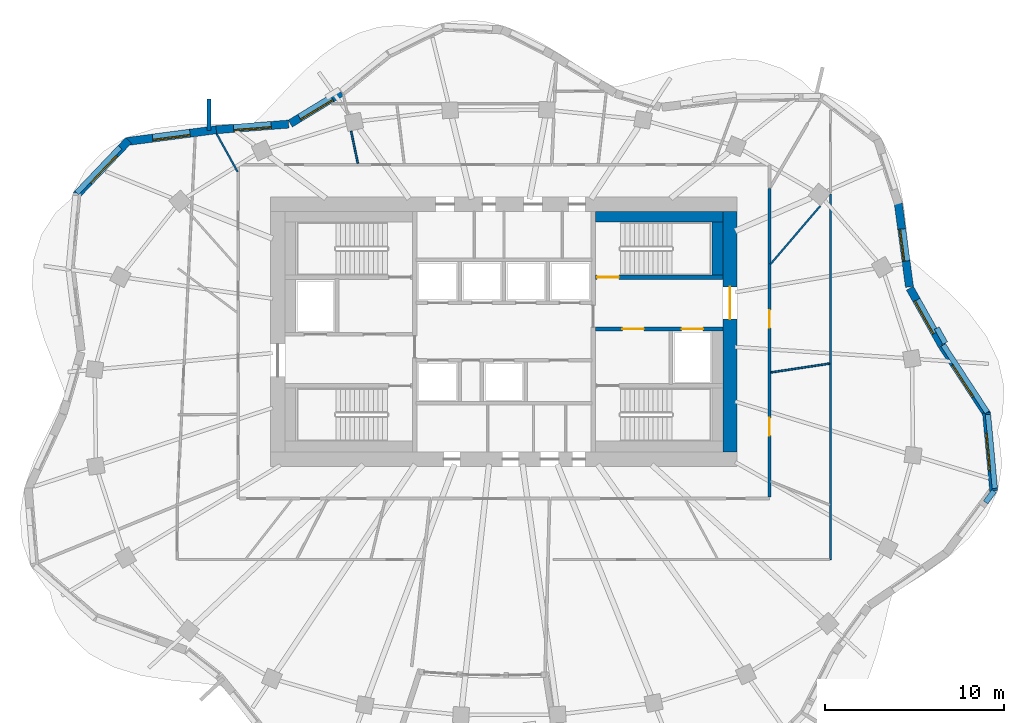
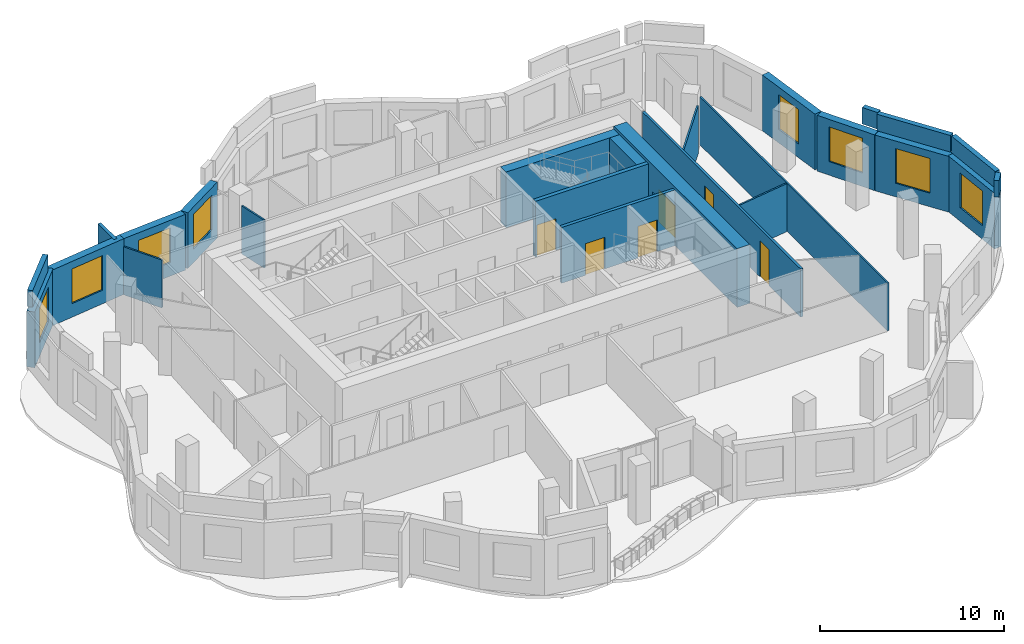
# One storey, part 8 of 12: 25 walls, 8 windows, 6 doors, 14 openings.
"""IFC4 building model written with IfcOpenShell, lengths in metres."""

from ifc_helpers import new_model, si_unit, direction, frame, frame_2d, origin, place, context, subcontext, project, spatial, rectangle, extrude, material, layer, layer_set, type_object, element, fill, save


model = new_model("IFC4")

# Units and contexts
model_context = context("Model", 3, precision=1e-05, world=origin(), true_north=direction((0.0, 1.0)))
body_context = subcontext(model_context, "Body", "Model", "MODEL_VIEW")
ifc_project = project(units=[si_unit("LENGTHUNIT", "METRE"), si_unit("AREAUNIT", "SQUARE_METRE"), si_unit("VOLUMEUNIT", "CUBIC_METRE"), si_unit("PLANEANGLEUNIT", "RADIAN"), si_unit("MASSUNIT", "GRAM", prefix="KILO")], contexts=[model_context])

# Site, building, storey
site_placement = place(None, origin())
site = spatial("IfcSite", under=ifc_project, at=site_placement, CompositionType="ELEMENT")
building_placement = place(site_placement, origin())
building = spatial("IfcBuilding", under=site, at=building_placement, Name="Rubra Terraces Tower", CompositionType="ELEMENT")
storey_placement = place(building_placement, frame((0.0, 0.0, 276.60009765625)))
storey = spatial("IfcBuildingStorey", under=building, at=storey_placement, Name="L68", CompositionType="ELEMENT", Elevation=276.60009765625)

# Wall, opening, window
ifc_material_1 = material(Name="Brick masonry red-brown", Category="masonry")
ifc_layer_1 = layer(ifc_material_1, 0.449951171875)
ifc_layer_set_1 = layer_set([ifc_layer_1], Name="Brick masonry red-brown")
wall_type_1 = type_object("IfcWallType", Name="Brick facade wall 450", PredefinedType="SOLIDWALL", material=ifc_layer_set_1)
wall_1_placement = place(storey_placement, frame((26.92626953125, -0.119140625, 0.0), z_axis=(0.0, 0.0, 1.0), x_axis=(-0.547072638725, 0.837085137819, 0.0)))
wall_1 = element("IfcWall", 1, at=wall_1_placement, inside=storey, type_object=wall_type_1, Name="Facade wall L68 bay 1", PredefinedType="SOLIDWALL", context=body_context, shape_type="SweptSolid", body=[
    extrude(rectangle(XDim=4.61572265625, YDim=0.449951171875, at=frame_2d((2.307861328125, 0.0))), origin(), (0.0, 0.0, 1.0), 3.699951171875),
])
opening_1_placement = place(wall_1_placement, frame((1.2578125, 0.0, 0.89990234375)))
opening_1 = element("IfcOpeningElement", 2, at=opening_1_placement, cuts=wall_1, Name="Opening W1B", PredefinedType="OPENING", context=body_context, shape_type="SweptSolid", body=[
    extrude(rectangle(XDim=2.10009765625, YDim=2.300048828125, at=frame_2d((1.050048828125, 1.14990234375))), frame((0.0, 0.23486328125, 0.0), z_axis=(0.0, -1.0, 0.0), x_axis=(1.0, 0.0, 0.0)), (0.0, 0.0, 1.0), 0.469970703125),
])
ifc_material_2 = material(Name="Clear glass in aluminium frame", Category="aluminium")
window_type_1 = type_object("IfcWindowType", Name="Fixed deep-set window tall storey 2100 x 2300", PartitioningType="SINGLE_PANEL", PredefinedType="WINDOW", material=ifc_material_2)
window_1_placement = place(opening_1_placement, origin())
window_1 = element("IfcWindow", 3, at=window_1_placement, inside=storey, type_object=window_type_1, Name="Window L68 bay 1", OverallHeight=2.300048828125, OverallWidth=2.10009765625, PartitioningType="SINGLE_PANEL", PredefinedType="WINDOW", context=body_context, shape_type="SweptSolid", body=[
    extrude(rectangle(XDim=2.10009765625, YDim=2.300048828125, at=frame_2d((1.050048828125, 1.14990234375))), frame((0.0, 0.135009765625, 0.0), z_axis=(0.0, -1.0, 0.0), x_axis=(1.0, 0.0, 0.0)), (0.0, 0.0, 1.0), 0.06005859375),
])
fill(opening_1, window_1)

wall_2_placement = place(storey_placement, frame((24.392822265625, 3.759033203125, 0.0), z_axis=(0.0, 0.0, 1.0), x_axis=(-0.488324253004, 0.872662262234, 0.0)))
wall_2 = element("IfcWall", 4, at=wall_2_placement, inside=storey, type_object=wall_type_1, Name="Facade wall L68 bay 2", PredefinedType="SOLIDWALL", context=body_context, shape_type="SweptSolid", body=[
    extrude(rectangle(XDim=3.622802734375, YDim=0.449951171875, at=frame_2d((1.8115234375, 0.0))), origin(), (0.0, 0.0, 1.0), 3.699951171875),
])
opening_2_placement = place(wall_2_placement, frame((0.76123046875, 0.0, 0.89990234375)))
opening_2 = element("IfcOpeningElement", 5, at=opening_2_placement, cuts=wall_2, Name="Opening W1B", PredefinedType="OPENING", context=body_context, shape_type="SweptSolid", body=[
    extrude(rectangle(XDim=2.10009765625, YDim=2.300048828125, at=frame_2d((1.050048828125, 1.14990234375))), frame((0.0, 0.23486328125, 0.0), z_axis=(0.0, -1.0, 0.0), x_axis=(1.0, 0.0, 0.0)), (0.0, 0.0, 1.0), 0.469970703125),
])
window_2_placement = place(opening_2_placement, origin())
window_2 = element("IfcWindow", 6, at=window_2_placement, inside=storey, type_object=window_type_1, Name="Window L68 bay 2", OverallHeight=2.300048828125, OverallWidth=2.10009765625, PartitioningType="SINGLE_PANEL", PredefinedType="WINDOW", context=body_context, shape_type="SweptSolid", body=[
    extrude(rectangle(XDim=2.10009765625, YDim=2.300048828125, at=frame_2d((1.050048828125, 1.14990234375))), frame((0.0, 0.135009765625, 0.0), z_axis=(0.0, -1.0, 0.0), x_axis=(1.0, 0.0, 0.0)), (0.0, 0.0, 1.0), 0.06005859375),
])
fill(opening_2, window_2)

wall_3_placement = place(storey_placement, frame((22.599853515625, 6.995361328125, 0.0), z_axis=(0.0, 0.0, 1.0), x_axis=(-0.132599346032, 0.991169719792, 0.0)))
wall_3 = element("IfcWall", 7, at=wall_3_placement, inside=storey, type_object=wall_type_1, Name="Facade wall L68 bay 3", PredefinedType="SOLIDWALL", context=body_context, shape_type="SweptSolid", body=[
    extrude(rectangle(XDim=4.69873046875, YDim=0.449951171875, at=frame_2d((2.349365234375, 0.0))), origin(), (0.0, 0.0, 1.0), 3.699951171875),
])
opening_3_placement = place(wall_3_placement, frame((1.449462890625, 0.0, 0.89990234375)))
opening_3 = element("IfcOpeningElement", 8, at=opening_3_placement, cuts=wall_3, Name="Opening W6B", PredefinedType="OPENING", context=body_context, shape_type="SweptSolid", body=[
    extrude(rectangle(XDim=1.800048828125, YDim=2.300048828125, at=frame_2d((0.89990234375, 1.14990234375))), frame((0.0, 0.23486328125, 0.0), z_axis=(0.0, -1.0, 0.0), x_axis=(1.0, 0.0, 0.0)), (0.0, 0.0, 1.0), 0.469970703125),
])
window_type_2 = type_object("IfcWindowType", Name="Fixed deep-set window at wind fin tall storey 1800 x 2300", PartitioningType="SINGLE_PANEL", PredefinedType="WINDOW", material=ifc_material_2)
window_3_placement = place(opening_3_placement, origin())
window_3 = element("IfcWindow", 9, at=window_3_placement, inside=storey, type_object=window_type_2, Name="Window L68 bay 3", OverallHeight=2.300048828125, OverallWidth=1.800048828125, PartitioningType="SINGLE_PANEL", PredefinedType="WINDOW", context=body_context, shape_type="SweptSolid", body=[
    extrude(rectangle(XDim=1.800048828125, YDim=2.300048828125, at=frame_2d((0.89990234375, 1.14990234375))), frame((0.0, 0.135009765625, 0.0), z_axis=(0.0, -1.0, 0.0), x_axis=(1.0, 0.0, 0.0)), (0.0, 0.0, 1.0), 0.06005859375),
])
fill(opening_3, window_3)

wall_4_placement = place(storey_placement, frame((-9.06298828125, 17.82275390625, 0.0), z_axis=(0.0, 0.0, 1.0), x_axis=(-0.854622263029, -0.519250216693, 0.0)))
wall_4 = element("IfcWall", 10, at=wall_4_placement, inside=storey, type_object=wall_type_1, Name="Facade wall L68 bay 14", PredefinedType="SOLIDWALL", context=body_context, shape_type="SweptSolid", body=[
    extrude(rectangle(XDim=3.32470703125, YDim=0.449951171875, at=frame_2d((1.662353515625, 0.0))), origin(), (0.0, 0.0, 1.0), 3.699951171875),
])
opening_4_placement = place(wall_4_placement, frame((0.6123046875, 0.0, 0.89990234375)))
opening_4 = element("IfcOpeningElement", 11, at=opening_4_placement, cuts=wall_4, Name="Opening W1B", PredefinedType="OPENING", context=body_context, shape_type="SweptSolid", body=[
    extrude(rectangle(XDim=2.10009765625, YDim=2.300048828125, at=frame_2d((1.050048828125, 1.14990234375))), frame((0.0, 0.23486328125, 0.0), z_axis=(0.0, -1.0, 0.0), x_axis=(1.0, 0.0, 0.0)), (0.0, 0.0, 1.0), 0.469970703125),
])
window_4_placement = place(opening_4_placement, origin())
window_4 = element("IfcWindow", 12, at=window_4_placement, inside=storey, type_object=window_type_1, Name="Window L68 bay 14", OverallHeight=2.300048828125, OverallWidth=2.10009765625, PartitioningType="SINGLE_PANEL", PredefinedType="WINDOW", context=body_context, shape_type="SweptSolid", body=[
    extrude(rectangle(XDim=2.10009765625, YDim=2.300048828125, at=frame_2d((1.050048828125, 1.14990234375))), frame((0.0, 0.135009765625, 0.0), z_axis=(0.0, -1.0, 0.0), x_axis=(1.0, 0.0, 0.0)), (0.0, 0.0, 1.0), 0.06005859375),
])
fill(opening_4, window_4)

wall_5_placement = place(storey_placement, frame((-11.9951171875, 16.06689453125, 0.0), z_axis=(0.0, 0.0, 1.0), x_axis=(-0.996967993416, -0.077812724559, 0.0)))
wall_5 = element("IfcWall", 13, at=wall_5_placement, inside=storey, type_object=wall_type_1, Name="Facade wall L68 bay 15", PredefinedType="SOLIDWALL", context=body_context, shape_type="SweptSolid", body=[
    extrude(rectangle(XDim=4.04736328125, YDim=0.449951171875, at=frame_2d((2.023681640625, 0.0))), origin(), (0.0, 0.0, 1.0), 3.699951171875),
])
opening_5_placement = place(wall_5_placement, frame((0.9736328125, 0.0, 0.89990234375)))
opening_5 = element("IfcOpeningElement", 14, at=opening_5_placement, cuts=wall_5, Name="Opening W1B", PredefinedType="OPENING", context=body_context, shape_type="SweptSolid", body=[
    extrude(rectangle(XDim=2.10009765625, YDim=2.300048828125, at=frame_2d((1.050048828125, 1.14990234375))), frame((0.0, 0.23486328125, 0.0), z_axis=(0.0, -1.0, 0.0), x_axis=(1.0, 0.0, 0.0)), (0.0, 0.0, 1.0), 0.469970703125),
])
window_5_placement = place(opening_5_placement, origin())
window_5 = element("IfcWindow", 15, at=window_5_placement, inside=storey, type_object=window_type_1, Name="Window L68 bay 15", OverallHeight=2.300048828125, OverallWidth=2.10009765625, PartitioningType="SINGLE_PANEL", PredefinedType="WINDOW", context=body_context, shape_type="SweptSolid", body=[
    extrude(rectangle(XDim=2.10009765625, YDim=2.300048828125, at=frame_2d((1.050048828125, 1.14990234375))), frame((0.0, 0.135009765625, 0.0), z_axis=(0.0, -1.0, 0.0), x_axis=(1.0, 0.0, 0.0)), (0.0, 0.0, 1.0), 0.06005859375),
])
fill(opening_5, window_5)

wall_6_placement = place(storey_placement, frame((-16.019287109375, 15.75341796875, 0.0), z_axis=(0.0, 0.0, 1.0), x_axis=(-0.991409967396, -0.130790965086, 0.0)))
wall_6 = element("IfcWall", 16, at=wall_6_placement, inside=storey, type_object=wall_type_1, Name="Facade wall L68 bay 16", PredefinedType="SOLIDWALL", context=body_context, shape_type="SweptSolid", body=[
    extrude(rectangle(XDim=5.06787109375, YDim=0.449951171875, at=frame_2d((2.533935546875, 0.0))), origin(), (0.0, 0.0, 1.0), 3.699951171875),
])
opening_6_placement = place(wall_6_placement, frame((1.48388671875, 0.0, 0.89990234375)))
opening_6 = element("IfcOpeningElement", 17, at=opening_6_placement, cuts=wall_6, Name="Opening W1B", PredefinedType="OPENING", context=body_context, shape_type="SweptSolid", body=[
    extrude(rectangle(XDim=2.10009765625, YDim=2.300048828125, at=frame_2d((1.050048828125, 1.14990234375))), frame((0.0, 0.23486328125, 0.0), z_axis=(0.0, -1.0, 0.0), x_axis=(1.0, 0.0, 0.0)), (0.0, 0.0, 1.0), 0.469970703125),
])
window_6_placement = place(opening_6_placement, origin())
window_6 = element("IfcWindow", 18, at=window_6_placement, inside=storey, type_object=window_type_1, Name="Window L68 bay 16", OverallHeight=2.300048828125, OverallWidth=2.10009765625, PartitioningType="SINGLE_PANEL", PredefinedType="WINDOW", context=body_context, shape_type="SweptSolid", body=[
    extrude(rectangle(XDim=2.10009765625, YDim=2.300048828125, at=frame_2d((1.050048828125, 1.14990234375))), frame((0.0, 0.135009765625, 0.0), z_axis=(0.0, -1.0, 0.0), x_axis=(1.0, 0.0, 0.0)), (0.0, 0.0, 1.0), 0.06005859375),
])
fill(opening_6, window_6)

wall_7_placement = place(storey_placement, frame((-20.914306640625, 15.15771484375, 0.0), z_axis=(0.0, 0.0, 1.0), x_axis=(-0.690057851873, -0.723754213161, 0.0)))
wall_7 = element("IfcWall", 19, at=wall_7_placement, inside=storey, type_object=wall_type_1, Name="Facade wall L68 bay 17", PredefinedType="SOLIDWALL", context=body_context, shape_type="SweptSolid", body=[
    extrude(rectangle(XDim=4.2529296875, YDim=0.449951171875, at=frame_2d((2.12646484375, 0.0))), origin(), (0.0, 0.0, 1.0), 3.699951171875),
])
opening_7_placement = place(wall_7_placement, frame((1.076416015625, 0.0, 0.89990234375)))
opening_7 = element("IfcOpeningElement", 20, at=opening_7_placement, cuts=wall_7, Name="Opening W1B", PredefinedType="OPENING", context=body_context, shape_type="SweptSolid", body=[
    extrude(rectangle(XDim=2.10009765625, YDim=2.300048828125, at=frame_2d((1.050048828125, 1.14990234375))), frame((0.0, 0.23486328125, 0.0), z_axis=(0.0, -1.0, 0.0), x_axis=(1.0, 0.0, 0.0)), (0.0, 0.0, 1.0), 0.469970703125),
])
window_7_placement = place(opening_7_placement, origin())
window_7 = element("IfcWindow", 21, at=window_7_placement, inside=storey, type_object=window_type_1, Name="Window L68 bay 17", OverallHeight=2.300048828125, OverallWidth=2.10009765625, PartitioningType="SINGLE_PANEL", PredefinedType="WINDOW", context=body_context, shape_type="SweptSolid", body=[
    extrude(rectangle(XDim=2.10009765625, YDim=2.300048828125, at=frame_2d((1.050048828125, 1.14990234375))), frame((0.0, 0.135009765625, 0.0), z_axis=(0.0, -1.0, 0.0), x_axis=(1.0, 0.0, 0.0)), (0.0, 0.0, 1.0), 0.06005859375),
])
fill(opening_7, window_7)

wall_8_placement = place(storey_placement, frame((27.2958984375, -4.379638671875, 0.0), z_axis=(0.0, 0.0, 1.0), x_axis=(-0.092079421996, 0.995751665851, 0.0)))
wall_8 = element("IfcWall", 22, at=wall_8_placement, inside=storey, type_object=wall_type_1, Name="Facade wall L68 bay 40", PredefinedType="SOLIDWALL", context=body_context, shape_type="SweptSolid", body=[
    extrude(rectangle(XDim=4.37744140625, YDim=0.449951171875, at=frame_2d((2.188720703125, 0.0))), origin(), (0.0, 0.0, 1.0), 3.699951171875),
])
opening_8_placement = place(wall_8_placement, frame((1.138916015625, 0.0, 0.89990234375)))
opening_8 = element("IfcOpeningElement", 23, at=opening_8_placement, cuts=wall_8, Name="Opening W1B", PredefinedType="OPENING", context=body_context, shape_type="SweptSolid", body=[
    extrude(rectangle(XDim=2.10009765625, YDim=2.300048828125, at=frame_2d((1.050048828125, 1.14990234375))), frame((0.0, 0.23486328125, 0.0), z_axis=(0.0, -1.0, 0.0), x_axis=(1.0, 0.0, 0.0)), (0.0, 0.0, 1.0), 0.469970703125),
])
window_8_placement = place(opening_8_placement, origin())
window_8 = element("IfcWindow", 24, at=window_8_placement, inside=storey, type_object=window_type_1, Name="Window L68 bay 40", OverallHeight=2.300048828125, OverallWidth=2.10009765625, PartitioningType="SINGLE_PANEL", PredefinedType="WINDOW", context=body_context, shape_type="SweptSolid", body=[
    extrude(rectangle(XDim=2.10009765625, YDim=2.300048828125, at=frame_2d((1.050048828125, 1.14990234375))), frame((0.0, 0.135009765625, 0.0), z_axis=(0.0, -1.0, 0.0), x_axis=(1.0, 0.0, 0.0)), (0.0, 0.0, 1.0), 0.06005859375),
])
fill(opening_8, window_8)

# Walls
ifc_layer_2 = layer(ifc_material_1, 0.300048828125)
ifc_layer_set_2 = layer_set([ifc_layer_2], Name="Brick masonry red-brown")
wall_type_2 = type_object("IfcWallType", Name="Brick parapet 300", PredefinedType="PARAPET", material=ifc_layer_set_2)
wall_9_placement = place(storey_placement, frame((26.934326171875, 0.005615234375, 3.89990234375), z_axis=(0.0, 0.0, 1.0), x_axis=(-0.547070260179, 0.837086692301, 0.0)))
element("IfcWall", 25, at=wall_9_placement, inside=storey, type_object=wall_type_2, Name="Parapet L68 bay 1", PredefinedType="PARAPET", context=body_context, shape_type="SweptSolid", body=[
    extrude(rectangle(XDim=4.48095703125, YDim=0.300048828125, at=frame_2d((2.240478515625, 0.0))), origin(), (0.0, 0.0, 1.0), 1.10009765625),
])
wall_10_placement = place(storey_placement, frame((24.592041015625, 3.86376953125, 3.89990234375), z_axis=(0.0, 0.0, 1.0), x_axis=(-0.488379082049, 0.872631578742, 0.0)))
element("IfcWall", 26, at=wall_10_placement, inside=storey, type_object=wall_type_2, Name="Parapet L68 bay 2", PredefinedType="PARAPET", context=body_context, shape_type="SweptSolid", body=[
    extrude(rectangle(XDim=0.96142578125, YDim=0.300048828125, at=frame_2d((0.480712890625, 0.0))), origin(), (0.0, 0.0, 1.0), 1.10009765625),
])
wall_11_placement = place(storey_placement, frame((-21.388427734375, 14.768798828125, 3.89990234375), z_axis=(0.0, 0.0, 1.0), x_axis=(-0.690144808601, -0.723671294969, 0.0)))
element("IfcWall", 27, at=wall_11_placement, inside=storey, type_object=wall_type_2, Name="Parapet L68 bay 17", PredefinedType="PARAPET", context=body_context, shape_type="SweptSolid", body=[
    extrude(rectangle(XDim=3.510009765625, YDim=0.300048828125, at=frame_2d((1.7548828125, 0.0))), origin(), (0.0, 0.0, 1.0), 1.10009765625),
])
wall_12_placement = place(storey_placement, frame((26.845458984375, -5.01318359375, 3.89990234375), z_axis=(0.0, 0.0, 1.0), x_axis=(0.597500991774, 0.801868171727, 0.0)))
element("IfcWall", 28, at=wall_12_placement, inside=storey, type_object=wall_type_2, Name="Parapet L68 bay 39", PredefinedType="PARAPET", context=body_context, shape_type="SweptSolid", body=[
    extrude(rectangle(XDim=0.782470703125, YDim=0.300048828125, at=frame_2d((0.39111328125, 0.0))), origin(), (0.0, 0.0, 1.0), 1.10009765625),
])
wall_13_placement = place(storey_placement, frame((27.357421875, -4.228515625, 3.89990234375), z_axis=(0.0, 0.0, 1.0), x_axis=(-0.092082019937, 0.99575142561, 0.0)))
element("IfcWall", 29, at=wall_13_placement, inside=storey, type_object=wall_type_2, Name="Parapet L68 bay 40", PredefinedType="PARAPET", context=body_context, shape_type="SweptSolid", body=[
    extrude(rectangle(XDim=4.128173828125, YDim=0.300048828125, at=frame_2d((2.06396484375, 0.0))), origin(), (0.0, 0.0, 1.0), 1.10009765625),
])
ifc_layer_3 = layer(ifc_material_1, 0.199951171875)
ifc_layer_set_3 = layer_set([ifc_layer_3], Name="Brick masonry red-brown")
wall_type_3 = type_object("IfcWallType", Name="Brick wind fin 200", PredefinedType="SOLIDWALL", material=ifc_layer_set_3)
wall_14_placement = place(storey_placement, frame((-16.43505859375, 15.7119140625, 0.0), z_axis=(0.0, 0.0, 1.0), x_axis=(0.000279017846, 0.999999961075, 0.0)))
element("IfcWall", 30, at=wall_14_placement, inside=storey, type_object=wall_type_3, Name="Wind fin L68 8", PredefinedType="SOLIDWALL", context=body_context, shape_type="SweptSolid", body=[
    extrude(rectangle(XDim=1.75, YDim=0.199951171875, at=frame_2d((0.875, 0.0))), origin(), (0.0, 0.0, 1.0), 3.699951171875),
])

# Wall, opening, door
ifc_material_3 = material(Name="Concrete C50", Category="concrete")
ifc_layer_4 = layer(ifc_material_3, 0.800048828125)
ifc_layer_set_4 = layer_set([ifc_layer_4], Name="Concrete C50")
wall_type_4 = type_object("IfcWallType", Name="CORE WALL 800 C50", PredefinedType="SHEAR", material=ifc_layer_set_4)
wall_15_placement = place(storey_placement, frame((12.60009765625, -2.199951171875, 0.0), z_axis=(0.0, 0.0, 1.0), x_axis=(0.0, 1.0, 0.0)))
wall_15 = element("IfcWall", 31, at=wall_15_placement, inside=storey, type_object=wall_type_4, Name="CORE WALL E L68", PredefinedType="SHEAR", context=body_context, shape_type="SweptSolid", body=[
    extrude(rectangle(XDim=13.39990234375, YDim=0.800048828125, at=frame_2d((6.699951171875, 0.0))), origin(), (0.0, 0.0, 1.0), 3.89990234375),
])
opening_9_placement = place(wall_15_placement, frame((7.39990234375, 0.0, 0.0)))
opening_9 = element("IfcOpeningElement", 32, at=opening_9_placement, cuts=wall_15, Name="Opening L68.C02", PredefinedType="OPENING", context=body_context, shape_type="SweptSolid", body=[
    extrude(rectangle(XDim=1.800048828125, YDim=2.10009765625, at=frame_2d((0.89990234375, 1.050048828125))), frame((0.0, 0.409912109375, 0.0), z_axis=(0.0, -1.0, 0.0), x_axis=(1.0, 0.0, 0.0)), (0.0, 0.0, 1.0), 0.820068359375),
])
ifc_material_4 = material(Name="Painted steel", Category="steel")
door_type_1 = type_object("IfcDoorType", Name="Fire door 1800x2100 double", OperationType="NOTDEFINED", PredefinedType="DOOR", material=ifc_material_4)
door_1_placement = place(opening_9_placement, origin())
door_1 = element("IfcDoor", 33, at=door_1_placement, inside=storey, type_object=door_type_1, Name="Core entrance door FF2", OperationType="DOUBLE_DOOR_SINGLE_SWING", OverallHeight=2.10009765625, OverallWidth=1.800048828125, PredefinedType="DOOR", context=body_context, shape_type="SweptSolid", body=[
    extrude(rectangle(XDim=1.800048828125, YDim=2.10009765625, at=frame_2d((0.89990234375, 1.050048828125))), frame((0.0, 0.02490234375, 0.0), z_axis=(0.0, -1.0, 0.0), x_axis=(1.0, 0.0, 0.0)), (0.0, 0.0, 1.0), 0.050048828125),
])
fill(opening_9, door_1)

# Wall, openings, doors
ifc_material_5 = material(Name="Plasterboard on steel stud, mineral wool infill", Category="steel")
ifc_layer_5 = layer(ifc_material_5, 0.14990234375)
ifc_layer_set_5 = layer_set([ifc_layer_5], Name="Plasterboard on steel stud, mineral wool infill")
wall_type_5 = type_object("IfcWallType", Name="CORRIDOR PARTITION 150", PredefinedType="PARTITIONING", material=ifc_layer_set_5)
wall_16_placement = place(storey_placement, frame((14.800048828125, -4.72509765625, 0.0), z_axis=(0.0, 0.0, 1.0), x_axis=(0.0, 1.0, 0.0)))
wall_16 = element("IfcWall", 34, at=wall_16_placement, inside=storey, type_object=wall_type_5, Name="PARTITION", PredefinedType="PARTITIONING", context=body_context, shape_type="SweptSolid", body=[
    extrude(rectangle(XDim=17.19677734375, YDim=0.14990234375, at=frame_2d((8.598388671875, 0.0))), origin(), (0.0, 0.0, 1.0), 3.197998046875),
])
opening_10_placement = place(wall_16_placement, frame((3.427001953125, 0.0, 0.0)))
opening_10 = element("IfcOpeningElement", 35, at=opening_10_placement, cuts=wall_16, Name="Opening 68-117", PredefinedType="OPENING", context=body_context, shape_type="SweptSolid", body=[
    extrude(rectangle(XDim=1.0, YDim=2.39990234375, at=frame_2d((0.5, 1.199951171875))), frame((0.0, 0.0849609375, 0.0), z_axis=(0.0, -1.0, 0.0), x_axis=(1.0, 0.0, 0.0)), (0.0, 0.0, 1.0), 0.169921875),
])
opening_11_placement = place(wall_16_placement, frame((9.430908203125, 0.0, 0.0)))
opening_11 = element("IfcOpeningElement", 36, at=opening_11_placement, cuts=wall_16, Name="Opening 68-118", PredefinedType="OPENING", context=body_context, shape_type="SweptSolid", body=[
    extrude(rectangle(XDim=1.0, YDim=2.39990234375, at=frame_2d((0.5, 1.199951171875))), frame((0.0, 0.0849609375, 0.0), z_axis=(0.0, -1.0, 0.0), x_axis=(1.0, 0.0, 0.0)), (0.0, 0.0, 1.0), 0.169921875),
])
ifc_material_6 = material(Name="Glazed aluminium meeting door leaf", Category="aluminium")
door_type_2 = type_object("IfcDoorType", Name="MEETING ROOM GLAZED DOOR 1000 X 2400", OperationType="SINGLE_SWING_LEFT", PredefinedType="DOOR", material=ifc_material_6)
door_2_placement = place(opening_10_placement, origin())
door_2 = element("IfcDoor", 37, at=door_2_placement, inside=storey, type_object=door_type_2, Name="DOOR 68-117", OperationType="SINGLE_SWING_RIGHT", OverallHeight=2.39990234375, OverallWidth=1.0, PredefinedType="DOOR", context=body_context, shape_type="SweptSolid", body=[
    extrude(rectangle(XDim=1.0, YDim=2.39990234375, at=frame_2d((0.5, 1.199951171875))), frame((0.0, 0.02490234375, 0.0), z_axis=(0.0, -1.0, 0.0), x_axis=(1.0, 0.0, 0.0)), (0.0, 0.0, 1.0), 0.050048828125),
])
fill(opening_10, door_2)
door_3_placement = place(opening_11_placement, origin())
door_3 = element("IfcDoor", 38, at=door_3_placement, inside=storey, type_object=door_type_2, Name="DOOR 68-118", OperationType="SINGLE_SWING_RIGHT", OverallHeight=2.39990234375, OverallWidth=1.0, PredefinedType="DOOR", context=body_context, shape_type="SweptSolid", body=[
    extrude(rectangle(XDim=1.0, YDim=2.39990234375, at=frame_2d((0.5, 1.199951171875))), frame((0.0, 0.02490234375, 0.0), z_axis=(0.0, -1.0, 0.0), x_axis=(1.0, 0.0, 0.0)), (0.0, 0.0, 1.0), 0.050048828125),
])
fill(opening_11, door_3)

# Walls
ifc_material_7 = material(Name="Concrete C40", Category="concrete")
ifc_layer_6 = layer(ifc_material_7, 0.60009765625)
ifc_layer_set_6 = layer_set([ifc_layer_6], Name="Concrete C40")
wall_type_6 = type_object("IfcWallType", Name="Core lining wall 600 concrete", PredefinedType="SOLIDWALL", material=ifc_layer_set_6)
wall_17_placement = place(storey_placement, frame((12.199951171875, 10.89990234375, 0.0), z_axis=(0.0, 0.0, 1.0), x_axis=(-1.0, 0.0, 0.0)))
element("IfcWall", 39, at=wall_17_placement, inside=storey, type_object=wall_type_6, Name="CORE LINING WALL L68", PredefinedType="SOLIDWALL", context=body_context, shape_type="SweptSolid", body=[
    extrude(rectangle(XDim=7.099853515625, YDim=0.60009765625, at=frame_2d((3.5498046875, 0.0))), origin(), (0.0, 0.0, 1.0), 3.699951171875),
])
wall_18_placement = place(storey_placement, frame((11.89990234375, 10.60009765625, 0.0), z_axis=(0.0, 0.0, 1.0), x_axis=(0.0, -1.0, 0.0)))
element("IfcWall", 40, at=wall_18_placement, inside=storey, type_object=wall_type_6, Name="CORE LINING WALL L68", PredefinedType="SOLIDWALL", context=body_context, shape_type="SweptSolid", body=[
    extrude(rectangle(XDim=2.9501953125, YDim=0.60009765625, at=frame_2d((1.47509765625, 0.0))), origin(), (0.0, 0.0, 1.0), 3.699951171875),
])

# Wall, openings, doors
ifc_material_8 = material(Name="Concrete C30", Category="concrete")
ifc_layer_7 = layer(ifc_material_8, 0.199951171875)
ifc_layer_set_7 = layer_set([ifc_layer_7], Name="Concrete C30")
wall_type_7 = type_object("IfcWallType", Name="Core wall 200 concrete", PredefinedType="SOLIDWALL", material=ifc_layer_set_7)
wall_19_placement = place(storey_placement, frame((12.199951171875, 4.64990234375, 0.0), z_axis=(0.0, 0.0, 1.0), x_axis=(-1.0, 0.0, 0.0)))
wall_19 = element("IfcWall", 41, at=wall_19_placement, inside=storey, type_object=wall_type_7, Name="STAIR WALL L68", PredefinedType="SOLIDWALL", context=body_context, shape_type="SweptSolid", body=[
    extrude(rectangle(XDim=7.099853515625, YDim=0.199951171875, at=frame_2d((3.5498046875, 0.0))), origin(), (0.0, 0.0, 1.0), 3.699951171875),
])
opening_12_placement = place(wall_19_placement, frame((4.39990234375, 0.0, 0.0)))
opening_12 = element("IfcOpeningElement", 42, at=opening_12_placement, cuts=wall_19, Name="Opening L68.C06", PredefinedType="OPENING", context=body_context, shape_type="SweptSolid", body=[
    extrude(rectangle(XDim=1.199951171875, YDim=2.10009765625, at=frame_2d((0.60009765625, 1.050048828125))), frame((0.0, 0.10986328125, 0.0), z_axis=(0.0, -1.0, 0.0), x_axis=(1.0, 0.0, 0.0)), (0.0, 0.0, 1.0), 0.219970703125),
])
opening_13_placement = place(wall_19_placement, frame((1.10009765625, 0.0, 0.0)))
opening_13 = element("IfcOpeningElement", 43, at=opening_13_placement, cuts=wall_19, Name="Opening L68.C12", PredefinedType="OPENING", context=body_context, shape_type="SweptSolid", body=[
    extrude(rectangle(XDim=1.199951171875, YDim=2.10009765625, at=frame_2d((0.60009765625, 1.050048828125))), frame((0.0, 0.10986328125, 0.0), z_axis=(0.0, -1.0, 0.0), x_axis=(1.0, 0.0, 0.0)), (0.0, 0.0, 1.0), 0.219970703125),
])
door_type_3 = type_object("IfcDoorType", Name="Fire door 1200x2100 single", OperationType="NOTDEFINED", PredefinedType="DOOR", material=ifc_material_4)
door_4_placement = place(opening_12_placement, origin())
door_4 = element("IfcDoor", 44, at=door_4_placement, inside=storey, type_object=door_type_3, Name="Stair vestibule door S4", OperationType="SINGLE_SWING_RIGHT", OverallHeight=2.10009765625, OverallWidth=1.199951171875, PredefinedType="DOOR", context=body_context, shape_type="SweptSolid", body=[
    extrude(rectangle(XDim=1.199951171875, YDim=2.10009765625, at=frame_2d((0.60009765625, 1.050048828125))), frame((0.0, 0.02490234375, 0.0), z_axis=(0.0, -1.0, 0.0), x_axis=(1.0, 0.0, 0.0)), (0.0, 0.0, 1.0), 0.050048828125),
])
fill(opening_12, door_4)
ifc_material_9 = material(Name="Stainless steel", Category="steel")
door_type_4 = type_object("IfcDoorType", Name="Lift landing door 1200x2100", OperationType="NOTDEFINED", PredefinedType="DOOR", material=ifc_material_9)
door_5_placement = place(opening_13_placement, origin())
door_5 = element("IfcDoor", 45, at=door_5_placement, inside=storey, type_object=door_type_4, Name="Landing door FF2", OperationType="SLIDING_TO_RIGHT", OverallHeight=2.10009765625, OverallWidth=1.199951171875, PredefinedType="DOOR", context=body_context, shape_type="SweptSolid", body=[
    extrude(rectangle(XDim=1.199951171875, YDim=2.10009765625, at=frame_2d((0.60009765625, 1.050048828125))), frame((0.0, 0.02490234375, 0.0), z_axis=(0.0, -1.0, 0.0), x_axis=(1.0, 0.0, 0.0)), (0.0, 0.0, 1.0), 0.050048828125),
])
fill(opening_13, door_5)

# Walls
ifc_material_10 = material(Name="Plasterboard on steel stud", Category="steel")
ifc_layer_8 = layer(ifc_material_10, 0.10009765625)
ifc_layer_set_8 = layer_set([ifc_layer_8], Name="Plasterboard on steel stud")
wall_type_8 = type_object("IfcWallType", Name="ROOM PARTITION 100", PredefinedType="PARTITIONING", material=ifc_layer_set_8)
wall_20_placement = place(storey_placement, frame((-8.137451171875, 13.873291015625, 0.0), z_axis=(0.0, 0.0, 1.0), x_axis=(-0.20551596438, 0.978653763282, 0.0)))
element("IfcWall", 46, at=wall_20_placement, inside=storey, type_object=wall_type_8, Name="PARTITION", PredefinedType="PARTITIONING", context=body_context, shape_type="SweptSolid", body=[
    extrude(rectangle(XDim=1.84130859375, YDim=0.10009765625, at=frame_2d((0.920654296875, 0.0))), origin(), (0.0, 0.0, 1.0), 3.183837890625),
])
wall_21_placement = place(storey_placement, frame((-14.836181640625, 13.401123046875, 0.0), z_axis=(0.0, 0.0, 1.0), x_axis=(-0.483487187132, 0.875351437926, 0.0)))
element("IfcWall", 47, at=wall_21_placement, inside=storey, type_object=wall_type_8, Name="PARTITION", PredefinedType="PARTITIONING", context=body_context, shape_type="SweptSolid", body=[
    extrude(rectangle(XDim=2.4248046875, YDim=0.10009765625, at=frame_2d((1.21240234375, 0.0))), origin(), (0.0, 0.0, 1.0), 3.183837890625),
])
wall_22_placement = place(storey_placement, frame((18.199951171875, 12.158447265625, 0.0), z_axis=(0.0, 0.0, 1.0), x_axis=(0.0, -1.0, 0.0)))
element("IfcWall", 48, at=wall_22_placement, inside=storey, type_object=wall_type_8, Name="PARTITION", PredefinedType="PARTITIONING", context=body_context, shape_type="SweptSolid", body=[
    extrude(rectangle(XDim=20.3583984375, YDim=0.10009765625, at=frame_2d((10.17919921875, 0.0))), origin(), (0.0, 0.0, 1.0), 3.183837890625),
])
wall_23_placement = place(storey_placement, frame((14.874267578125, 2.2275390625, 0.0), z_axis=(0.0, 0.0, 1.0), x_axis=(0.988773632129, 0.149421231442, 0.0)))
element("IfcWall", 49, at=wall_23_placement, inside=storey, type_object=wall_type_8, Name="PARTITION", PredefinedType="PARTITIONING", context=body_context, shape_type="SweptSolid", body=[
    extrude(rectangle(XDim=3.3134765625, YDim=0.10009765625, at=frame_2d((1.65673828125, 0.0))), origin(), (0.0, 0.0, 1.0), 3.183837890625),
])
wall_24_placement = place(storey_placement, frame((14.8486328125, 8.25341796875, 0.0), z_axis=(0.0, 0.0, 1.0), x_axis=(0.649817849781, 0.760089969744, 0.0)))
element("IfcWall", 50, at=wall_24_placement, inside=storey, type_object=wall_type_8, Name="PARTITION", PredefinedType="PARTITIONING", context=body_context, shape_type="SweptSolid", body=[
    extrude(rectangle(XDim=4.27734375, YDim=0.10009765625, at=frame_2d((2.138671875, 0.0))), origin(), (0.0, 0.0, 1.0), 3.183837890625),
])

# Wall, opening, door
ifc_layer_9 = layer(ifc_material_7, 0.25)
ifc_layer_set_9 = layer_set([ifc_layer_9], Name="Concrete C40")
wall_type_9 = type_object("IfcWallType", Name="Stair enclosure wall 250 concrete", PredefinedType="SOLIDWALL", material=ifc_layer_set_9)
wall_25_placement = place(storey_placement, frame((12.199951171875, 7.52490234375, 0.0), z_axis=(0.0, 0.0, 1.0), x_axis=(-1.0, 0.0, 0.0)))
wall_25 = element("IfcWall", 51, at=wall_25_placement, inside=storey, type_object=wall_type_9, Name="STAIR WALL L68", PredefinedType="SOLIDWALL", context=body_context, shape_type="SweptSolid", body=[
    extrude(rectangle(XDim=7.099853515625, YDim=0.25, at=frame_2d((3.5498046875, 0.0))), origin(), (0.0, 0.0, 1.0), 3.699951171875),
])
opening_14_placement = place(wall_25_placement, frame((5.800048828125, 0.0, 0.0)))
opening_14 = element("IfcOpeningElement", 52, at=opening_14_placement, cuts=wall_25, Name="Opening L68.C08", PredefinedType="OPENING", context=body_context, shape_type="SweptSolid", body=[
    extrude(rectangle(XDim=1.199951171875, YDim=2.10009765625, at=frame_2d((0.60009765625, 1.050048828125))), frame((0.0, 0.135009765625, 0.0), z_axis=(0.0, -1.0, 0.0), x_axis=(1.0, 0.0, 0.0)), (0.0, 0.0, 1.0), 0.27001953125),
])
door_6_placement = place(opening_14_placement, origin())
door_6 = element("IfcDoor", 53, at=door_6_placement, inside=storey, type_object=door_type_3, Name="Stair door S3", OperationType="SINGLE_SWING_RIGHT", OverallHeight=2.10009765625, OverallWidth=1.199951171875, PredefinedType="DOOR", context=body_context, shape_type="SweptSolid", body=[
    extrude(rectangle(XDim=1.199951171875, YDim=2.10009765625, at=frame_2d((0.60009765625, 1.050048828125))), frame((0.0, 0.02490234375, 0.0), z_axis=(0.0, -1.0, 0.0), x_axis=(1.0, 0.0, 0.0)), (0.0, 0.0, 1.0), 0.050048828125),
])
fill(opening_14, door_6)

save(model, "model.ifc")
